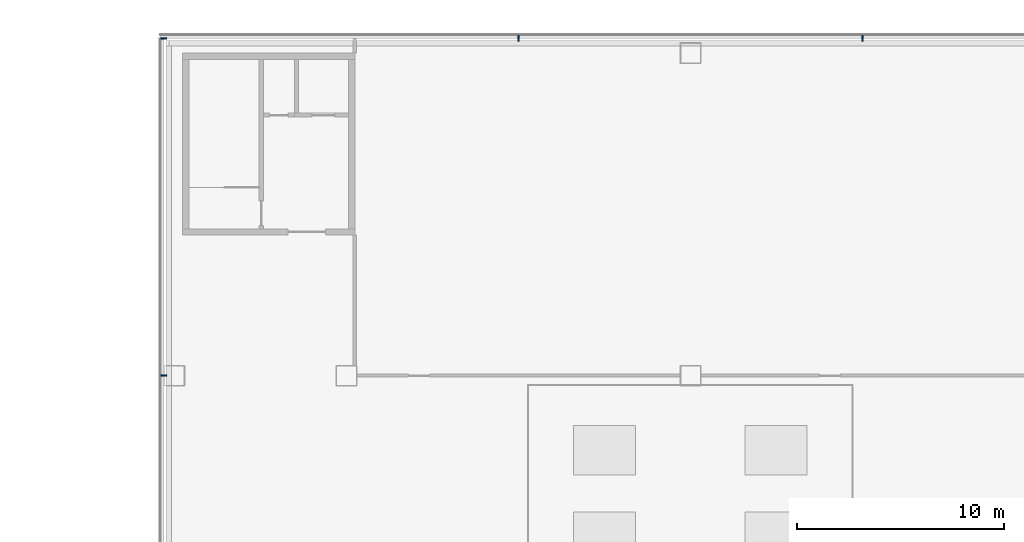
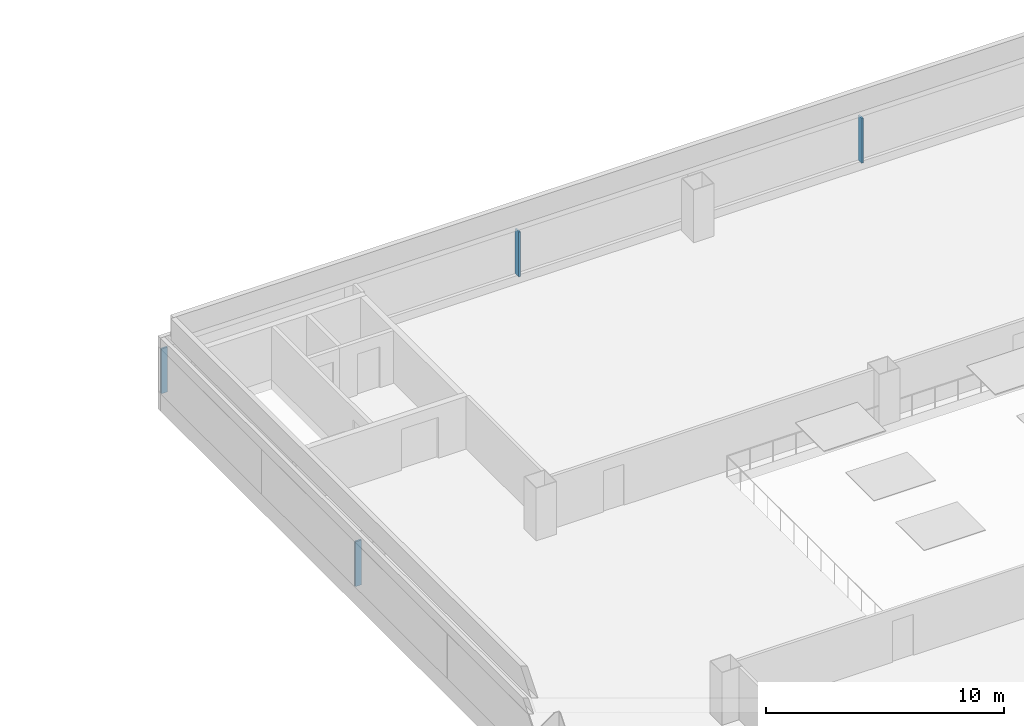
# One storey, part 16 of 42: 4 members, 2 elements without a shape of their own.
"""IFC4 building model written with IfcOpenShell, lengths in metres."""

from ifc_helpers import new_model, si_unit, direction, frame, origin, origin_2d, place, context, subcontext, project, spatial, rectangle, extrude, material, layer, layer_set, material_profile, profile_set, type_object, element, aggregate, save


model = new_model("IFC4")

# Units and contexts
model_context = context("Model", 3, precision=1e-05, world=origin(), true_north=direction((0.0, 1.0)))
body_context = subcontext(model_context, "Body", "Model", "MODEL_VIEW")
ifc_project = project(units=[si_unit("LENGTHUNIT", "METRE"), si_unit("AREAUNIT", "SQUARE_METRE"), si_unit("VOLUMEUNIT", "CUBIC_METRE"), si_unit("PLANEANGLEUNIT", "RADIAN"), si_unit("MASSUNIT", "GRAM", prefix="KILO")], contexts=[model_context])

# Site, building, storey
site_placement = place(None, origin())
site = spatial("IfcSite", under=ifc_project, at=site_placement, CompositionType="ELEMENT")
building_placement = place(site_placement, origin())
building = spatial("IfcBuilding", under=site, at=building_placement, Name="Hakoniwa Tower and Hamabe Station Hall", CompositionType="ELEMENT")
storey_placement = place(building_placement, frame((0.0, 0.0, 19.800048828125)))
storey = spatial("IfcBuildingStorey", under=building, at=storey_placement, Name="L04", CompositionType="ELEMENT", Elevation=19.800048828125)

# Curtain wall, members
ifc_material_1 = material(Name="Dark low-e laminated glass", Category="glass")
ifc_layer = layer(ifc_material_1, 0.199951171875)
ifc_layer_set = layer_set([ifc_layer], Name="CW-7 STATION")
curtain_wall_type = type_object("IfcCurtainWallType", Name="CW-7 STATION", PredefinedType="NOTDEFINED", material=ifc_layer_set)
curtain_wall_1_placement = place(storey_placement, origin())
curtain_wall_1 = element("IfcCurtainWall", 1, at=curtain_wall_1_placement, inside=storey, type_object=curtain_wall_type, Name="Station curtain wall L04 north", PredefinedType="NOTDEFINED")
ifc_material_2 = material(Name="Aluminium 6063-T5 black anodised", Category="aluminium")
ifc_material_profile = material_profile(ifc_material_2, rectangle(XDim=0.080078125, YDim=0.300048828125, at=origin_2d()), Name="CW-3 MULLION 80X300")
ifc_profile_set = profile_set([ifc_material_profile], Name="Aluminium 6063-T5 black anodised")
member_type = type_object("IfcMemberType", Name="CW-3 MULLION 80X300", PredefinedType="MULLION", material=ifc_profile_set)
member_1_placement = place(storey_placement, frame((119.22998046875, 24.1220703125, 0.349853515625), z_axis=(0.0, 0.0, 1.0), x_axis=(-1.0, 0.0, 0.0)))
member_1 = element("IfcMember", 2, at=member_1_placement, type_object=member_type, Name="CW-7 mullion", PredefinedType="MULLION", context=body_context, shape_type="SweptSolid", body=[
    extrude(rectangle(XDim=0.080078125, YDim=0.300048828125, at=origin_2d()), origin(), (0.0, 0.0, 1.0), 2.300048828125),
])
member_2_placement = place(storey_placement, frame((102.590087890625, 24.1220703125, 0.349853515625), z_axis=(0.0, 0.0, 1.0), x_axis=(-1.0, 0.0, 0.0)))
member_2 = element("IfcMember", 3, at=member_2_placement, type_object=member_type, Name="CW-7 mullion", PredefinedType="MULLION", context=body_context, shape_type="SweptSolid", body=[
    extrude(rectangle(XDim=0.080078125, YDim=0.300048828125, at=origin_2d()), origin(), (0.0, 0.0, 1.0), 2.300048828125),
])
aggregate(curtain_wall_1, [member_1, member_2])

curtain_wall_2_placement = place(storey_placement, origin())
curtain_wall_2 = element("IfcCurtainWall", 4, at=curtain_wall_2_placement, inside=storey, type_object=curtain_wall_type, Name="Station curtain wall L04 west", PredefinedType="NOTDEFINED")
member_3_placement = place(storey_placement, frame((85.427978515625, 24.10009765625, 0.349853515625), z_axis=(0.0, 0.0, 1.0), x_axis=(0.0, -1.0, 0.0)))
member_3 = element("IfcMember", 5, at=member_3_placement, type_object=member_type, Name="CW-7 mullion", PredefinedType="MULLION", context=body_context, shape_type="SweptSolid", body=[
    extrude(rectangle(XDim=0.080078125, YDim=0.300048828125, at=origin_2d()), origin(), (0.0, 0.0, 1.0), 2.300048828125),
])
member_4_placement = place(storey_placement, frame((85.427978515625, 7.800048828125, 0.349853515625), z_axis=(0.0, 0.0, 1.0), x_axis=(0.0, -1.0, 0.0)))
member_4 = element("IfcMember", 6, at=member_4_placement, type_object=member_type, Name="CW-7 mullion", PredefinedType="MULLION", context=body_context, shape_type="SweptSolid", body=[
    extrude(rectangle(XDim=0.080078125, YDim=0.300048828125, at=origin_2d()), origin(), (0.0, 0.0, 1.0), 2.300048828125),
])
aggregate(curtain_wall_2, [member_3, member_4])

save(model, "model.ifc")
